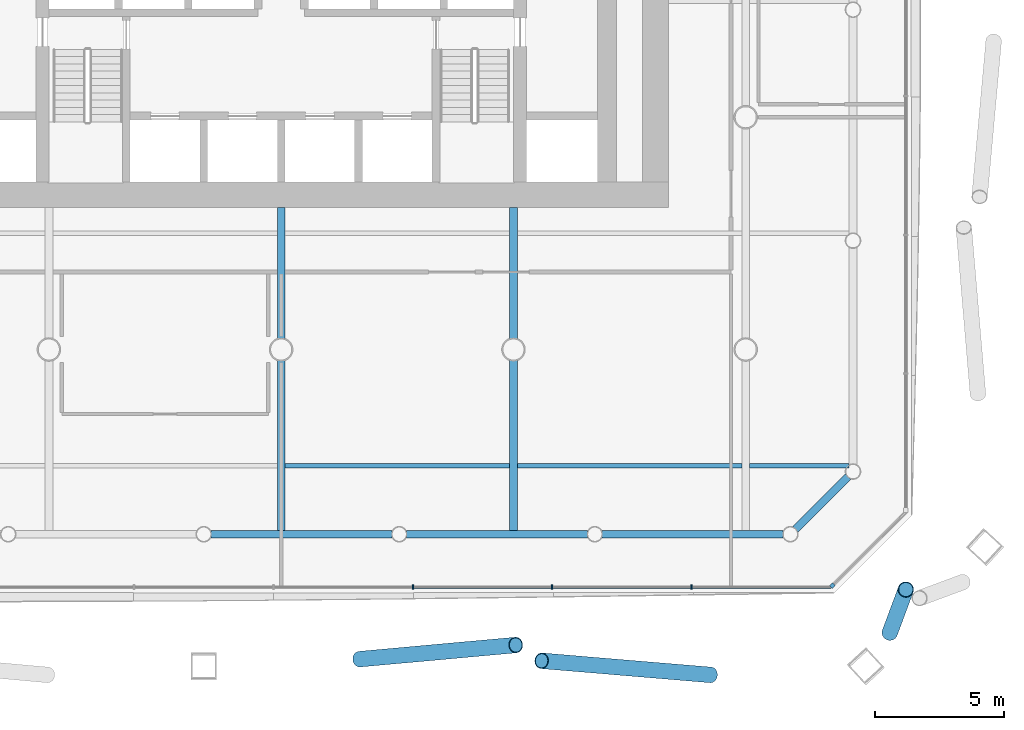
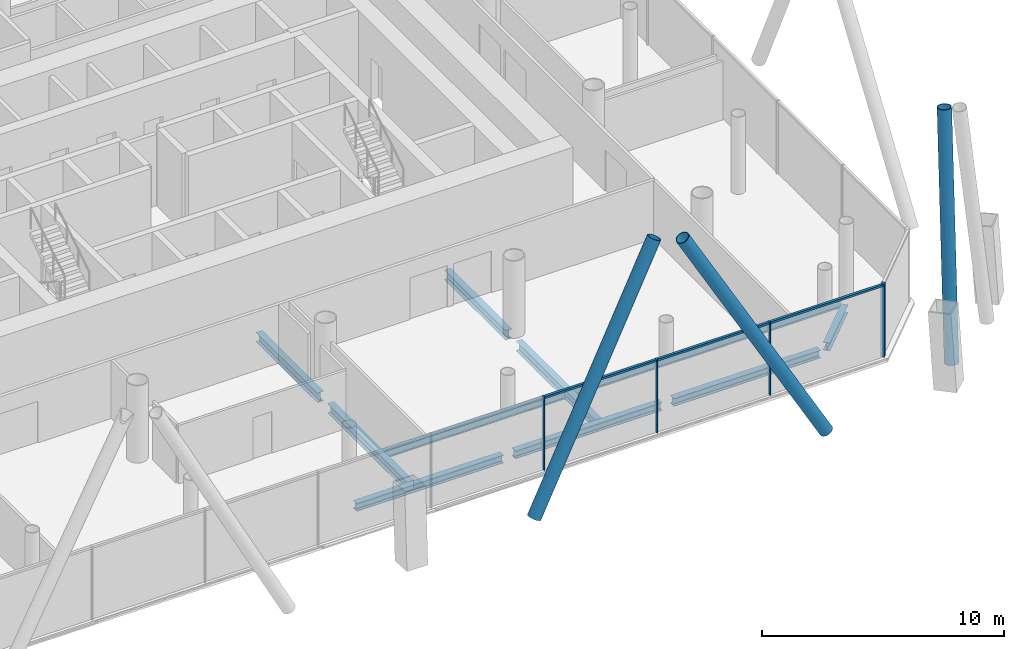
# One storey, part 7 of 25: 11 beams, 10 members, 2 elements without a shape of their own.
"""IFC4 building model written with IfcOpenShell, lengths in metres."""

from ifc_helpers import new_model, si_unit, direction, frame, origin, origin_2d, place, context, subcontext, project, spatial, rectangle, hollow_circle, i_section, extrude, material, material_profile, profile_set, type_object, element, aggregate, save


model = new_model("IFC4")

# Units and contexts
model_context = context("Model", 3, precision=1e-05, world=origin(), true_north=direction((0.0, 1.0)))
body_context = subcontext(model_context, "Body", "Model", "MODEL_VIEW")
ifc_project = project(units=[si_unit("LENGTHUNIT", "METRE"), si_unit("AREAUNIT", "SQUARE_METRE"), si_unit("VOLUMEUNIT", "CUBIC_METRE"), si_unit("PLANEANGLEUNIT", "RADIAN"), si_unit("MASSUNIT", "GRAM", prefix="KILO")], contexts=[model_context])

# Site, building, storey
site_placement = place(None, origin())
site = spatial("IfcSite", under=ifc_project, at=site_placement, CompositionType="ELEMENT")
building_placement = place(site_placement, origin())
building = spatial("IfcBuilding", under=site, at=building_placement, Name="Tskaro Facet Tower", CompositionType="ELEMENT")
storey_placement = place(building_placement, frame((0.0, 0.0, 22.5)))
storey = spatial("IfcBuildingStorey", under=building, at=storey_placement, Name="L04", CompositionType="ELEMENT", Elevation=22.5)

# Members
ifc_material_1 = material(Name="Steel S355J2H", Category="steel")
ifc_material_profile_1 = material_profile(ifc_material_1, hollow_circle(Radius=0.304931640625, WallThickness=0.030029296875, at=origin_2d()), Name="CHS 610x30")
ifc_profile_set_1 = profile_set([ifc_material_profile_1], Name="Steel S355J2H")
member_type_1 = type_object("IfcMemberType", Name="CHS 610x30 brace", PredefinedType="BRACE", material=ifc_profile_set_1)
member_1_placement = place(storey_placement, frame((3.044921875, -29.997314453125, 0.0), z_axis=(0.458634830894, 0.04156441826, 0.887652235408), x_axis=(-0.090256501459, 0.995918552867, 0.0)))
element("IfcMember", 1, at=member_1_placement, inside=storey, type_object=member_type_1, Name="CHS 610x30 XB02A/1", PredefinedType="BRACE", context=body_context, shape_type="SweptSolid", body=[
    extrude(hollow_circle(Radius=0.304931640625, WallThickness=0.030029296875, at=origin_2d()), origin(), (0.0, 0.0, 1.0), 13.1806640625),
])
member_2_placement = place(storey_placement, frame((16.6357421875, -30.607177734375, 0.0), z_axis=(-0.487810027403, 0.04081308111, 0.871995223367), x_axis=(-0.083374631246, -0.996518274225, 0.0)))
element("IfcMember", 2, at=member_2_placement, inside=storey, type_object=member_type_1, Name="CHS 610x30 XB02B/1", PredefinedType="BRACE", context=body_context, shape_type="SweptSolid", body=[
    extrude(hollow_circle(Radius=0.304931640625, WallThickness=0.030029296875, at=origin_2d()), origin(), (0.0, 0.0, 1.0), 13.41748046875),
])
member_3_placement = place(storey_placement, frame((23.584716796875, -28.966796875, 0.0), z_axis=(0.052358236977, 0.140901008099, 0.988638215394), x_axis=(-0.937374066257, 0.348324360199, 0.0)))
element("IfcMember", 3, at=member_3_placement, inside=storey, type_object=member_type_1, Name="CHS 610x30 XB03A/1", PredefinedType="BRACE", context=body_context, shape_type="SweptSolid", body=[
    extrude(hollow_circle(Radius=0.304931640625, WallThickness=0.030029296875, at=origin_2d()), origin(), (0.0, 0.0, 1.0), 11.83447265625),
])

# Curtain wall, member
ifc_material_2 = material(Name="Bronze anodised aluminium 6063-T6", Category="aluminium")
curtain_wall_type = type_object("IfcCurtainWallType", Name="Bronze office curtain wall (FW1)", PredefinedType="NOTDEFINED", material=ifc_material_2)
curtain_wall_1_placement = place(storey_placement, origin())
curtain_wall_1 = element("IfcCurtainWall", 4, at=curtain_wall_1_placement, inside=storey, type_object=curtain_wall_type, Name="FW1 south-east facet L04", PredefinedType="NOTDEFINED")
ifc_material_profile_2 = material_profile(ifc_material_2, rectangle(XDim=0.159912109375, YDim=0.159912109375, at=origin_2d()), Name="Corner post 160x160")
ifc_profile_set_2 = profile_set([ifc_material_profile_2], Name="Bronze anodised aluminium 6063-T6")
member_type_2 = type_object("IfcMemberType", Name="FW1 bronze corner post 160x160", PredefinedType="MULLION", material=ifc_profile_set_2)
member_4_placement = place(storey_placement, frame((21.361572265625, -27.1455078125, 0.0), z_axis=(0.0, 0.0, 1.0), x_axis=(0.707106781187, 0.707106781187, 0.0)))
member_4 = element("IfcMember", 5, at=member_4_placement, type_object=member_type_2, Name="FW1 south-east corner post", PredefinedType="MULLION", context=body_context, shape_type="SweptSolid", body=[
    extrude(rectangle(XDim=0.159912109375, YDim=0.159912109375, at=origin_2d()), origin(), (0.0, 0.0, 1.0), 3.699951171875),
])
aggregate(curtain_wall_1, [member_4])

# Curtain wall, members
curtain_wall_2_placement = place(storey_placement, origin())
curtain_wall_2 = element("IfcCurtainWall", 6, at=curtain_wall_2_placement, inside=storey, type_object=curtain_wall_type, Name="FW1 south facet L04", PredefinedType="NOTDEFINED")
ifc_material_profile_3 = material_profile(ifc_material_2, rectangle(XDim=0.06005859375, YDim=0.159912109375, at=origin_2d()), Name="Mullion 60x160")
ifc_profile_set_3 = profile_set([ifc_material_profile_3], Name="Bronze anodised aluminium 6063-T6")
member_type_3 = type_object("IfcMemberType", Name="FW1 bronze mullion 60x160", PredefinedType="MULLION", material=ifc_profile_set_3)
member_5_placement = place(storey_placement, frame((5.1015625, -27.201904296875, 0.0), z_axis=(0.0, 0.0, 1.0), x_axis=(1.0, 0.0, 0.0)))
member_5 = element("IfcMember", 7, at=member_5_placement, type_object=member_type_3, Name="FW1 south mullion 6", PredefinedType="MULLION", context=body_context, shape_type="SweptSolid", body=[
    extrude(rectangle(XDim=0.06005859375, YDim=0.159912109375, at=origin_2d()), origin(), (0.0, 0.0, 1.0), 3.699951171875),
])
member_6_placement = place(storey_placement, frame((10.502685546875, -27.201904296875, 0.0), z_axis=(0.0, 0.0, 1.0), x_axis=(1.0, 0.0, 0.0)))
member_6 = element("IfcMember", 8, at=member_6_placement, type_object=member_type_3, Name="FW1 south mullion 7", PredefinedType="MULLION", context=body_context, shape_type="SweptSolid", body=[
    extrude(rectangle(XDim=0.06005859375, YDim=0.159912109375, at=origin_2d()), origin(), (0.0, 0.0, 1.0), 3.699951171875),
])
member_7_placement = place(storey_placement, frame((15.90380859375, -27.201904296875, 0.0), z_axis=(0.0, 0.0, 1.0), x_axis=(1.0, 0.0, 0.0)))
member_7 = element("IfcMember", 9, at=member_7_placement, type_object=member_type_3, Name="FW1 south mullion 8", PredefinedType="MULLION", context=body_context, shape_type="SweptSolid", body=[
    extrude(rectangle(XDim=0.06005859375, YDim=0.159912109375, at=origin_2d()), origin(), (0.0, 0.0, 1.0), 3.699951171875),
])
ifc_material_profile_4 = material_profile(ifc_material_2, rectangle(XDim=0.1201171875, YDim=0.10009765625, at=origin_2d()), Name="Transom 120x100")
ifc_profile_set_4 = profile_set([ifc_material_profile_4], Name="Bronze anodised aluminium 6063-T6")
member_type_4 = type_object("IfcMemberType", Name="FW1 bronze transom 120x100", PredefinedType="USERDEFINED", material=ifc_profile_set_4)
member_8_placement = place(storey_placement, frame((5.131591796875, -27.201904296875, 3.64990234375), z_axis=(1.0, 0.0, 0.0), x_axis=(0.0, 1.0, 0.0)))
member_8 = element("IfcMember", 10, at=member_8_placement, type_object=member_type_4, Name="FW1 south transom 7.1", ObjectType="TRANSOM", PredefinedType="USERDEFINED", context=body_context, shape_type="SweptSolid", body=[
    extrude(rectangle(XDim=0.1201171875, YDim=0.10009765625, at=origin_2d()), origin(), (0.0, 0.0, 1.0), 5.341064453125),
])
member_9_placement = place(storey_placement, frame((10.53271484375, -27.201904296875, 3.64990234375), z_axis=(1.0, 0.0, 0.0), x_axis=(0.0, 1.0, 0.0)))
member_9 = element("IfcMember", 11, at=member_9_placement, type_object=member_type_4, Name="FW1 south transom 8.1", ObjectType="TRANSOM", PredefinedType="USERDEFINED", context=body_context, shape_type="SweptSolid", body=[
    extrude(rectangle(XDim=0.1201171875, YDim=0.10009765625, at=origin_2d()), origin(), (0.0, 0.0, 1.0), 5.341064453125),
])
member_10_placement = place(storey_placement, frame((15.933837890625, -27.201904296875, 3.64990234375), z_axis=(1.0, 0.0, 0.0), x_axis=(0.0, 1.0, 0.0)))
member_10 = element("IfcMember", 12, at=member_10_placement, type_object=member_type_4, Name="FW1 south transom 9.1", ObjectType="TRANSOM", PredefinedType="USERDEFINED", context=body_context, shape_type="SweptSolid", body=[
    extrude(rectangle(XDim=0.1201171875, YDim=0.10009765625, at=origin_2d()), origin(), (0.0, 0.0, 1.0), 5.37109375),
])
aggregate(curtain_wall_2, [member_5, member_6, member_7, member_8, member_9, member_10])

# Beams
ifc_material_3 = material(Name="Steel S355J2", Category="steel")
ifc_material_profile_5 = material_profile(ifc_material_3, i_section(OverallWidth=0.300048828125, OverallDepth=0.39990234375, WebThickness=0.013427734375, FlangeThickness=0.02392578125, FilletRadius=0.027099609375, at=origin_2d()), Name="HE 400 B")
ifc_profile_set_5 = profile_set([ifc_material_profile_5], Name="Steel S355J2")
beam_type_1 = type_object("IfcBeamType", Name="HE 400 B ring beam", PredefinedType="BEAM", material=ifc_profile_set_5)
beam_1_placement = place(storey_placement, frame((-2.72509765625, -25.156982421875, -0.340087890625), z_axis=(1.0, 0.0, 0.0), x_axis=(0.0, 1.0, 0.0)))
element("IfcBeam", 13, at=beam_1_placement, inside=storey, type_object=beam_type_1, Name="HE 400 B EB4-1", PredefinedType="BEAM", context=body_context, shape_type="SweptSolid", body=[
    extrude(i_section(OverallWidth=0.300048828125, OverallDepth=0.39990234375, WebThickness=0.013427734375, FlangeThickness=0.02392578125, FilletRadius=0.027099609375, at=origin_2d()), origin(), (0.0, 0.0, 1.0), 7.026123046875),
])
beam_2_placement = place(storey_placement, frame((4.85107421875, -25.156982421875, -0.340087890625), z_axis=(1.0, 0.0, 0.0), x_axis=(0.0, 1.0, 0.0)))
element("IfcBeam", 14, at=beam_2_placement, inside=storey, type_object=beam_type_1, Name="HE 400 B EB5-1", PredefinedType="BEAM", context=body_context, shape_type="SweptSolid", body=[
    extrude(i_section(OverallWidth=0.300048828125, OverallDepth=0.39990234375, WebThickness=0.013427734375, FlangeThickness=0.02392578125, FilletRadius=0.027099609375, at=origin_2d()), origin(), (0.0, 0.0, 1.0), 7.02685546875),
])
beam_3_placement = place(storey_placement, frame((12.427978515625, -25.156982421875, -0.340087890625), z_axis=(1.0, 0.0, 0.0), x_axis=(0.0, 1.0, 0.0)))
element("IfcBeam", 15, at=beam_3_placement, inside=storey, type_object=beam_type_1, Name="HE 400 B EB6-1", PredefinedType="BEAM", context=body_context, shape_type="SweptSolid", body=[
    extrude(i_section(OverallWidth=0.300048828125, OverallDepth=0.39990234375, WebThickness=0.013427734375, FlangeThickness=0.02392578125, FilletRadius=0.027099609375, at=origin_2d()), origin(), (0.0, 0.0, 1.0), 7.026123046875),
])
beam_4_placement = place(storey_placement, frame((19.92333984375, -24.962646484375, -0.340087890625), z_axis=(0.707106781187, 0.707106781187, 0.0), x_axis=(-0.707106781187, 0.707106781187, 0.0)))
element("IfcBeam", 16, at=beam_4_placement, inside=storey, type_object=beam_type_1, Name="HE 400 B EB7-1", PredefinedType="BEAM", context=body_context, shape_type="SweptSolid", body=[
    extrude(i_section(OverallWidth=0.300048828125, OverallDepth=0.39990234375, WebThickness=0.013427734375, FlangeThickness=0.02392578125, FilletRadius=0.027099609375, at=origin_2d()), origin(), (0.0, 0.0, 1.0), 2.884033203125),
])
ifc_material_profile_6 = material_profile(ifc_material_3, i_section(OverallWidth=0.300048828125, OverallDepth=0.489990234375, WebThickness=0.011962890625, FlangeThickness=0.02294921875, FilletRadius=0.027099609375, at=origin_2d()), Name="HE 500 A")
ifc_profile_set_6 = profile_set([ifc_material_profile_6], Name="Steel S355J2")
beam_type_2 = type_object("IfcBeamType", Name="HE 500 A girder", PredefinedType="BEAM", material=ifc_profile_set_6)
beam_5_placement = place(storey_placement, frame((0.0, -25.007080078125, -0.385009765625), z_axis=(0.0, 1.0, 0.0), x_axis=(-1.0, 0.0, 0.0)))
element("IfcBeam", 17, at=beam_5_placement, inside=storey, type_object=beam_type_2, Name="HE 500 A GB4-1-1", PredefinedType="BEAM", context=body_context, shape_type="SweptSolid", body=[
    extrude(i_section(OverallWidth=0.300048828125, OverallDepth=0.489990234375, WebThickness=0.011962890625, FlangeThickness=0.02294921875, FilletRadius=0.027099609375, at=origin_2d()), origin(), (0.0, 0.0, 1.0), 6.579833984375),
])
beam_6_placement = place(storey_placement, frame((0.0, -17.57275390625, -0.385009765625), z_axis=(0.0, 1.0, 0.0), x_axis=(-1.0, 0.0, 0.0)))
element("IfcBeam", 18, at=beam_6_placement, inside=storey, type_object=beam_type_2, Name="HE 500 A GB4-2-1", PredefinedType="BEAM", context=body_context, shape_type="SweptSolid", body=[
    extrude(i_section(OverallWidth=0.300048828125, OverallDepth=0.489990234375, WebThickness=0.011962890625, FlangeThickness=0.02294921875, FilletRadius=0.027099609375, at=origin_2d()), origin(), (0.0, 0.0, 1.0), 5.07275390625),
])
beam_7_placement = place(storey_placement, frame((9.0, -25.007080078125, -0.385009765625), z_axis=(0.0, 1.0, 0.0), x_axis=(-1.0, 0.0, 0.0)))
element("IfcBeam", 19, at=beam_7_placement, inside=storey, type_object=beam_type_2, Name="HE 500 A GB5-1-1", PredefinedType="BEAM", context=body_context, shape_type="SweptSolid", body=[
    extrude(i_section(OverallWidth=0.300048828125, OverallDepth=0.489990234375, WebThickness=0.011962890625, FlangeThickness=0.02294921875, FilletRadius=0.027099609375, at=origin_2d()), origin(), (0.0, 0.0, 1.0), 6.579833984375),
])
beam_8_placement = place(storey_placement, frame((9.0, -17.57275390625, -0.385009765625), z_axis=(0.0, 1.0, 0.0), x_axis=(-1.0, 0.0, 0.0)))
element("IfcBeam", 20, at=beam_8_placement, inside=storey, type_object=beam_type_2, Name="HE 500 A GB5-2-1", PredefinedType="BEAM", context=body_context, shape_type="SweptSolid", body=[
    extrude(i_section(OverallWidth=0.300048828125, OverallDepth=0.489990234375, WebThickness=0.011962890625, FlangeThickness=0.02294921875, FilletRadius=0.027099609375, at=origin_2d()), origin(), (0.0, 0.0, 1.0), 5.07275390625),
])
ifc_material_profile_7 = material_profile(ifc_material_3, i_section(OverallWidth=0.179931640625, OverallDepth=0.39990234375, WebThickness=0.008544921875, FlangeThickness=0.013427734375, FilletRadius=0.02099609375, at=origin_2d()), Name="IPE 400")
ifc_profile_set_7 = profile_set([ifc_material_profile_7], Name="Steel S355J2")
beam_type_3 = type_object("IfcBeamType", Name="IPE 400 secondary beam", PredefinedType="BEAM", material=ifc_profile_set_7)
for number, where, z_axis, x_axis, name in (
    (21, (0.14990234375, -22.5, -0.340087890625), (1.0, 0.0, 0.0), (0.0, 1.0, 0.0), "IPE 400 SB1a-4-1"),
    (22, (9.14990234375, -22.5, -0.340087890625), (1.0, 0.0, 0.0), (0.0, 1.0, 0.0), "IPE 400 SB1a-5-1"),
):
    element("IfcBeam", number, at=place(storey_placement, frame(where, z_axis=z_axis, x_axis=x_axis)), inside=storey, type_object=beam_type_3, Name=name, PredefinedType="BEAM", context=body_context, shape_type="SweptSolid", body=[
        extrude(i_section(OverallWidth=0.179931640625, OverallDepth=0.39990234375, WebThickness=0.008544921875, FlangeThickness=0.013427734375, FilletRadius=0.02099609375, at=origin_2d()), origin(), (0.0, 0.0, 1.0), 8.7001953125),
    ])
beam_9_placement = place(storey_placement, frame((18.14990234375, -22.5, -0.340087890625), z_axis=(1.0, 0.0, 0.0), x_axis=(0.0, 1.0, 0.0)))
element("IfcBeam", 23, at=beam_9_placement, inside=storey, type_object=beam_type_3, Name="IPE 400 SB1a-6-1", PredefinedType="BEAM", context=body_context, shape_type="SweptSolid", body=[
    extrude(i_section(OverallWidth=0.179931640625, OverallDepth=0.39990234375, WebThickness=0.008544921875, FlangeThickness=0.013427734375, FilletRadius=0.02099609375, at=origin_2d()), origin(), (0.0, 0.0, 1.0), 3.857177734375),
])

save(model, "model.ifc")
